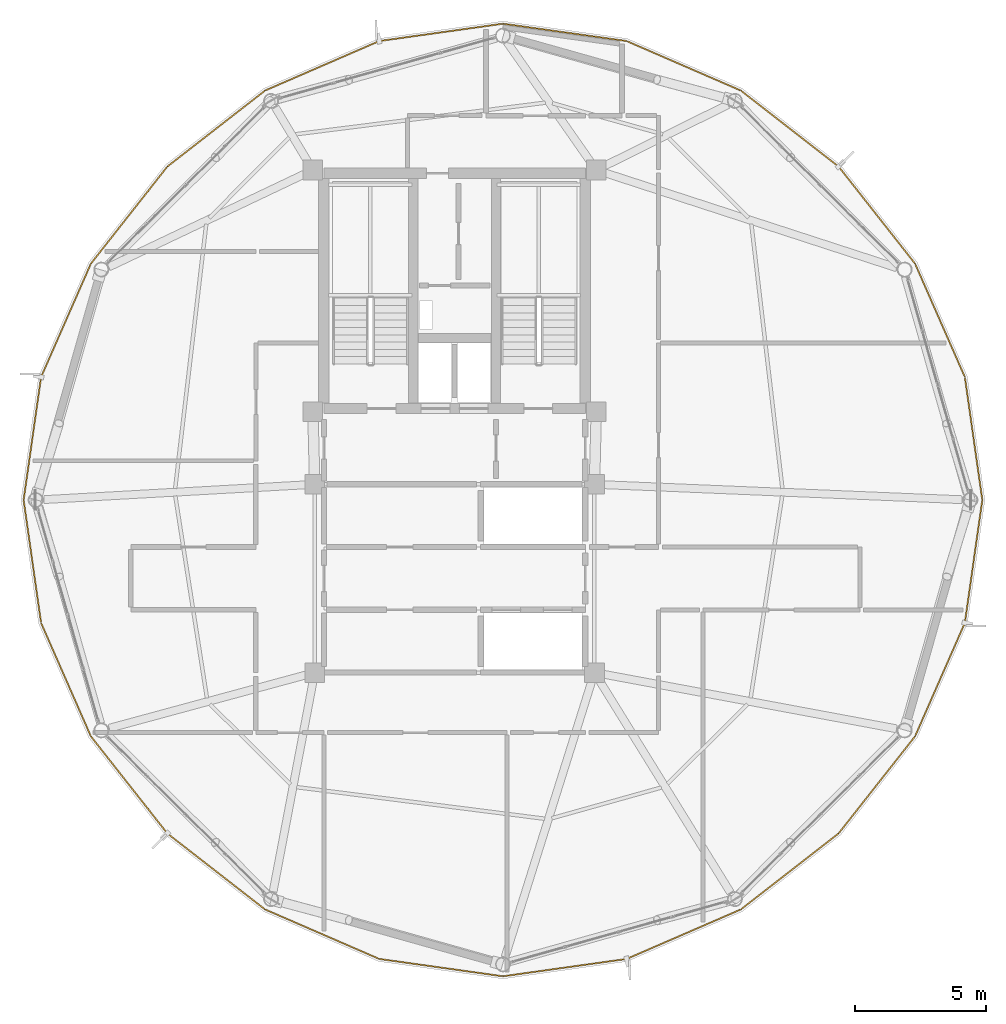
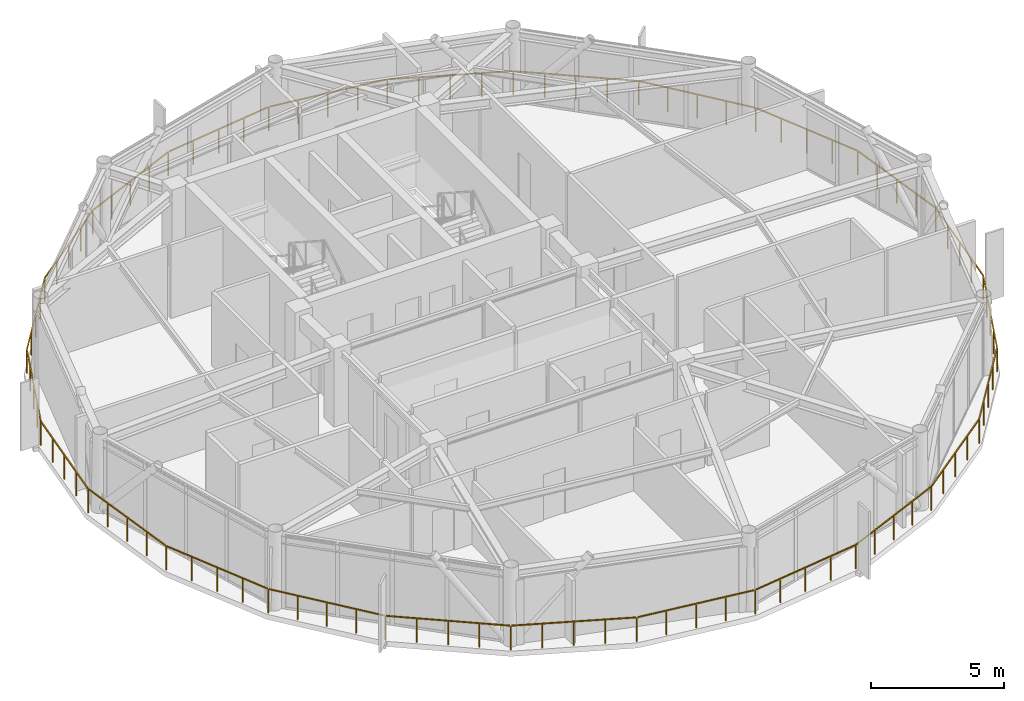
# One storey, part 23 of 24: 1 railing.
"""IFC4 building model written with IfcOpenShell, lengths in metres."""

from ifc_helpers import new_model, si_unit, direction, frame, origin, origin_2d, place, context, subcontext, project, spatial, rectangle, extrude, material, type_object, element, save


model = new_model("IFC4")

# Units and contexts
model_context = context("Model", 3, precision=1e-05, world=origin(), true_north=direction((0.0, 1.0)))
body_context = subcontext(model_context, "Body", "Model", "MODEL_VIEW")
ifc_project = project(units=[si_unit("LENGTHUNIT", "METRE"), si_unit("AREAUNIT", "SQUARE_METRE"), si_unit("VOLUMEUNIT", "CUBIC_METRE"), si_unit("PLANEANGLEUNIT", "RADIAN"), si_unit("MASSUNIT", "GRAM", prefix="KILO")], contexts=[model_context])

# Site, building, storey
site_placement = place(None, origin())
site = spatial("IfcSite", under=ifc_project, at=site_placement, CompositionType="ELEMENT")
building_placement = place(site_placement, origin())
building = spatial("IfcBuilding", under=site, at=building_placement, Name="Varnakorn Sky Granary", CompositionType="ELEMENT")
storey_placement = place(building_placement, frame((0.0, 0.0, 281.39990234375)))
storey = spatial("IfcBuildingStorey", under=building, at=storey_placement, Name="L72", CompositionType="ELEMENT", Elevation=281.39990234375)

# Railing
ifc_material = material(Name="Anodised Bronze Aluminium Alloy 6063-T6", Category="aluminium")
railing_type = type_object("IfcRailingType", Name="RL-BAL-1120", PredefinedType="BALUSTRADE", material=ifc_material)
railing_placement = place(storey_placement, frame((23.18408203125, 0.0, 0.0)))
element("IfcRailing", 1, at=railing_placement, inside=storey, type_object=railing_type, Name="Perimeter Slab-Edge Safety Guard L72", PredefinedType="BALUSTRADE", context=body_context, shape_type="SweptSolid", body=[
    extrude(rectangle(XDim=0.048095703125, YDim=0.048095703125, at=origin_2d()), frame((-0.00390625, -0.02783203125, 1.09619140625), z_axis=(-0.140600836241, -0.990066363861, 0.0), x_axis=(0.990066363861, -0.140600836241, 0.0)), (0.0, 0.0, 1.0), 4.693115234375),
    extrude(rectangle(XDim=0.048095703125, YDim=0.048095703125, at=origin_2d()), frame((-0.678955078125, -4.7275390625, 1.09619140625), z_axis=(-0.402026946082, -0.915627836309, 0.0), x_axis=(0.915627836309, -0.402026946082, 0.0)), (0.0, 0.0, 1.0), 4.681396484375),
    extrude(rectangle(XDim=0.048095703125, YDim=0.048095703125, at=origin_2d()), frame((-2.589599609375, -9.0615234375, 1.09619140625), z_axis=(-0.618624048974, -0.78568714259, 0.0), x_axis=(0.78568714259, -0.618624048974, 0.0)), (0.0, 0.0, 1.0), 4.671630859375),
    extrude(rectangle(XDim=0.048095703125, YDim=0.048095703125, at=origin_2d()), frame((-5.51904296875, -12.77099609375, 1.09619140625), z_axis=(-0.789524303147, -0.613719296373, 0.0), x_axis=(0.613719296373, -0.789524303147, 0.0)), (0.0, 0.0, 1.0), 4.679443359375),
    extrude(rectangle(XDim=0.048095703125, YDim=0.048095703125, at=origin_2d()), frame((-9.26123046875, -15.67138671875, 1.09619140625), z_axis=(-0.917467632742, -0.397810435849, 0.0), x_axis=(0.397810435849, -0.917467632742, 0.0)), (0.0, 0.0, 1.0), 4.70263671875),
    extrude(rectangle(XDim=0.048095703125, YDim=0.048095703125, at=origin_2d()), frame((-13.62939453125, -17.55712890625, 1.09619140625), z_axis=(-0.990304953601, -0.138910398723, 0.0), x_axis=(0.138910398723, -0.990304953601, 0.0)), (0.0, 0.0, 1.0), 4.72265625),
    extrude(rectangle(XDim=0.048095703125, YDim=0.048095703125, at=origin_2d()), frame((-18.36181640625, -18.213134765625, 1.09619140625), z_axis=(-0.990304953601, 0.138910398723, 0.0), x_axis=(-0.138910398723, -0.990304953601, 0.0)), (0.0, 0.0, 1.0), 4.72265625),
    extrude(rectangle(XDim=0.048095703125, YDim=0.048095703125, at=origin_2d()), frame((-23.092041015625, -17.5419921875, 1.09619140625), z_axis=(-0.917475751172, 0.397791711842, 0.0), x_axis=(-0.397791711842, -0.917475751172, 0.0)), (0.0, 0.0, 1.0), 4.702880859375),
    extrude(rectangle(XDim=0.048095703125, YDim=0.048095703125, at=origin_2d()), frame((-27.454833984375, -15.64306640625, 1.09619140625), z_axis=(-0.789524303147, 0.613719296373, 0.0), x_axis=(-0.613719296373, -0.789524303147, 0.0)), (0.0, 0.0, 1.0), 4.679443359375),
    extrude(rectangle(XDim=0.048095703125, YDim=0.048095703125, at=origin_2d()), frame((-31.188720703125, -12.73193359375, 1.09619140625), z_axis=(-0.618624048974, 0.78568714259, 0.0), x_axis=(-0.78568714259, -0.618624048974, 0.0)), (0.0, 0.0, 1.0), 4.671630859375),
    extrude(rectangle(XDim=0.048095703125, YDim=0.048095703125, at=origin_2d()), frame((-34.107177734375, -9.013916015625, 1.09619140625), z_axis=(-0.402026946082, 0.915627836309, 0.0), x_axis=(-0.915627836309, -0.402026946082, 0.0)), (0.0, 0.0, 1.0), 4.681396484375),
    extrude(rectangle(XDim=0.048095703125, YDim=0.048095703125, at=origin_2d()), frame((-36.00439453125, -4.674072265625, 1.09619140625), z_axis=(-0.140550443974, 0.990073518835, 0.0), x_axis=(-0.990073518835, -0.140550443974, 0.0)), (0.0, 0.0, 1.0), 4.693115234375),
    extrude(rectangle(XDim=0.048095703125, YDim=0.048095703125, at=origin_2d()), frame((-36.6640625, 0.02783203125, 1.09619140625), z_axis=(0.140550443974, 0.990073518835, 0.0), x_axis=(-0.990073518835, 0.140550443974, 0.0)), (0.0, 0.0, 1.0), 4.693115234375),
    extrude(rectangle(XDim=0.048095703125, YDim=0.048095703125, at=origin_2d()), frame((-35.9892578125, 4.7275390625, 1.09619140625), z_axis=(0.402026946082, 0.915627836309, 0.0), x_axis=(-0.915627836309, 0.402026946082, 0.0)), (0.0, 0.0, 1.0), 4.681396484375),
    extrude(rectangle(XDim=0.048095703125, YDim=0.048095703125, at=origin_2d()), frame((-34.07861328125, 9.0615234375, 1.09619140625), z_axis=(0.618624048974, 0.78568714259, 0.0), x_axis=(-0.78568714259, 0.618624048974, 0.0)), (0.0, 0.0, 1.0), 4.671630859375),
    extrude(rectangle(XDim=0.048095703125, YDim=0.048095703125, at=origin_2d()), frame((-31.149169921875, 12.77099609375, 1.09619140625), z_axis=(0.789524303147, 0.613719296373, 0.0), x_axis=(-0.613719296373, 0.789524303147, 0.0)), (0.0, 0.0, 1.0), 4.679443359375),
    extrude(rectangle(XDim=0.048095703125, YDim=0.048095703125, at=origin_2d()), frame((-27.406982421875, 15.67138671875, 1.09619140625), z_axis=(0.917475751172, 0.397791711842, 0.0), x_axis=(-0.397791711842, 0.917475751172, 0.0)), (0.0, 0.0, 1.0), 4.702880859375),
    extrude(rectangle(XDim=0.048095703125, YDim=0.048095703125, at=origin_2d()), frame((-23.03857421875, 17.55712890625, 1.09619140625), z_axis=(0.990304953601, 0.138910398723, 0.0), x_axis=(-0.138910398723, 0.990304953601, 0.0)), (0.0, 0.0, 1.0), 4.72265625),
    extrude(rectangle(XDim=0.048095703125, YDim=0.048095703125, at=origin_2d()), frame((-18.30615234375, 18.213134765625, 1.09619140625), z_axis=(0.990304953601, -0.138910398723, 0.0), x_axis=(0.138910398723, 0.990304953601, 0.0)), (0.0, 0.0, 1.0), 4.72265625),
    extrude(rectangle(XDim=0.048095703125, YDim=0.048095703125, at=origin_2d()), frame((-13.575927734375, 17.5419921875, 1.09619140625), z_axis=(0.917467632742, -0.397810435849, 0.0), x_axis=(0.397810435849, 0.917467632742, 0.0)), (0.0, 0.0, 1.0), 4.70263671875),
    extrude(rectangle(XDim=0.048095703125, YDim=0.048095703125, at=origin_2d()), frame((-9.21337890625, 15.64306640625, 1.09619140625), z_axis=(0.789524303147, -0.613719296373, 0.0), x_axis=(0.613719296373, 0.789524303147, 0.0)), (0.0, 0.0, 1.0), 4.679443359375),
    extrude(rectangle(XDim=0.048095703125, YDim=0.048095703125, at=origin_2d()), frame((-5.4794921875, 12.73193359375, 1.09619140625), z_axis=(0.618624048974, -0.78568714259, 0.0), x_axis=(0.78568714259, 0.618624048974, 0.0)), (0.0, 0.0, 1.0), 4.671630859375),
    extrude(rectangle(XDim=0.048095703125, YDim=0.048095703125, at=origin_2d()), frame((-2.56103515625, 9.013916015625, 1.09619140625), z_axis=(0.402026946082, -0.915627836309, 0.0), x_axis=(0.915627836309, 0.402026946082, 0.0)), (0.0, 0.0, 1.0), 4.681396484375),
    extrude(rectangle(XDim=0.048095703125, YDim=0.048095703125, at=origin_2d()), frame((-0.663818359375, 4.674072265625, 1.09619140625), z_axis=(0.140600836241, -0.990066363861, 0.0), x_axis=(0.990066363861, 0.140600836241, 0.0)), (0.0, 0.0, 1.0), 4.693115234375),
    extrude(rectangle(XDim=0.0419921875, YDim=0.0419921875, at=origin_2d()), origin(), (0.0, 0.0, 1.0), 1.068115234375),
    extrude(rectangle(XDim=0.0419921875, YDim=0.0419921875, at=origin_2d()), frame((-0.1669921875, -1.175537109375, 0.0)), (0.0, 0.0, 1.0), 1.068115234375),
    extrude(rectangle(XDim=0.0419921875, YDim=0.0419921875, at=origin_2d()), frame((-0.333984375, -2.35107421875, 0.0)), (0.0, 0.0, 1.0), 1.068115234375),
    extrude(rectangle(XDim=0.0419921875, YDim=0.0419921875, at=origin_2d()), frame((-0.500732421875, -3.5263671875, 0.0)), (0.0, 0.0, 1.0), 1.068115234375),
    extrude(rectangle(XDim=0.0419921875, YDim=0.0419921875, at=origin_2d()), frame((-0.667724609375, -4.701904296875, 0.0)), (0.0, 0.0, 1.0), 1.068115234375),
    extrude(rectangle(XDim=0.0419921875, YDim=0.0419921875, at=origin_2d()), frame((-1.143798828125, -5.786376953125, 0.0)), (0.0, 0.0, 1.0), 1.068115234375),
    extrude(rectangle(XDim=0.0419921875, YDim=0.0419921875, at=origin_2d()), frame((-1.6201171875, -6.87060546875, 0.0)), (0.0, 0.0, 1.0), 1.068115234375),
    extrude(rectangle(XDim=0.0419921875, YDim=0.0419921875, at=origin_2d()), frame((-2.09619140625, -7.955078125, 0.0)), (0.0, 0.0, 1.0), 1.068115234375),
    extrude(rectangle(XDim=0.0419921875, YDim=0.0419921875, at=origin_2d()), frame((-2.572265625, -9.03955078125, 0.0)), (0.0, 0.0, 1.0), 1.068115234375),
    extrude(rectangle(XDim=0.0419921875, YDim=0.0419921875, at=origin_2d()), frame((-3.303466796875, -9.96826171875, 0.0)), (0.0, 0.0, 1.0), 1.068115234375),
    extrude(rectangle(XDim=0.0419921875, YDim=0.0419921875, at=origin_2d()), frame((-4.03466796875, -10.896728515625, 0.0)), (0.0, 0.0, 1.0), 1.068115234375),
    extrude(rectangle(XDim=0.0419921875, YDim=0.0419921875, at=origin_2d()), frame((-4.765625, -11.8251953125, 0.0)), (0.0, 0.0, 1.0), 1.068115234375),
    extrude(rectangle(XDim=0.0419921875, YDim=0.0419921875, at=origin_2d()), frame((-5.496826171875, -12.75390625, 0.0)), (0.0, 0.0, 1.0), 1.068115234375),
    extrude(rectangle(XDim=0.0419921875, YDim=0.0419921875, at=origin_2d()), frame((-6.431640625, -13.48046875, 0.0)), (0.0, 0.0, 1.0), 1.068115234375),
    extrude(rectangle(XDim=0.0419921875, YDim=0.0419921875, at=origin_2d()), frame((-7.3662109375, -14.20703125, 0.0)), (0.0, 0.0, 1.0), 1.068115234375),
    extrude(rectangle(XDim=0.0419921875, YDim=0.0419921875, at=origin_2d()), frame((-8.30078125, -14.93359375, 0.0)), (0.0, 0.0, 1.0), 1.068115234375),
    extrude(rectangle(XDim=0.0419921875, YDim=0.0419921875, at=origin_2d()), frame((-9.235595703125, -15.66015625, 0.0)), (0.0, 0.0, 1.0), 1.068115234375),
    extrude(rectangle(XDim=0.0419921875, YDim=0.0419921875, at=origin_2d()), frame((-10.3271484375, -16.13330078125, 0.0)), (0.0, 0.0, 1.0), 1.068115234375),
    extrude(rectangle(XDim=0.0419921875, YDim=0.0419921875, at=origin_2d()), frame((-11.41845703125, -16.606689453125, 0.0)), (0.0, 0.0, 1.0), 1.068115234375),
    extrude(rectangle(XDim=0.0419921875, YDim=0.0419921875, at=origin_2d()), frame((-12.510009765625, -17.080078125, 0.0)), (0.0, 0.0, 1.0), 1.068115234375),
    extrude(rectangle(XDim=0.0419921875, YDim=0.0419921875, at=origin_2d()), frame((-13.6015625, -17.55322265625, 0.0)), (0.0, 0.0, 1.0), 1.068115234375),
    extrude(rectangle(XDim=0.0419921875, YDim=0.0419921875, at=origin_2d()), frame((-14.78466796875, -17.71923828125, 0.0)), (0.0, 0.0, 1.0), 1.068115234375),
    extrude(rectangle(XDim=0.0419921875, YDim=0.0419921875, at=origin_2d()), frame((-15.9677734375, -17.88525390625, 0.0)), (0.0, 0.0, 1.0), 1.068115234375),
    extrude(rectangle(XDim=0.0419921875, YDim=0.0419921875, at=origin_2d()), frame((-17.15087890625, -18.051025390625, 0.0)), (0.0, 0.0, 1.0), 1.068115234375),
    extrude(rectangle(XDim=0.0419921875, YDim=0.0419921875, at=origin_2d()), frame((-18.333984375, -18.217041015625, 0.0)), (0.0, 0.0, 1.0), 1.068115234375),
    extrude(rectangle(XDim=0.0419921875, YDim=0.0419921875, at=origin_2d()), frame((-19.51708984375, -18.051025390625, 0.0)), (0.0, 0.0, 1.0), 1.068115234375),
    extrude(rectangle(XDim=0.0419921875, YDim=0.0419921875, at=origin_2d()), frame((-20.7001953125, -17.88525390625, 0.0)), (0.0, 0.0, 1.0), 1.068115234375),
    extrude(rectangle(XDim=0.0419921875, YDim=0.0419921875, at=origin_2d()), frame((-21.88330078125, -17.71923828125, 0.0)), (0.0, 0.0, 1.0), 1.068115234375),
    extrude(rectangle(XDim=0.0419921875, YDim=0.0419921875, at=origin_2d()), frame((-23.06640625, -17.55322265625, 0.0)), (0.0, 0.0, 1.0), 1.068115234375),
    extrude(rectangle(XDim=0.0419921875, YDim=0.0419921875, at=origin_2d()), frame((-24.157958984375, -17.080078125, 0.0)), (0.0, 0.0, 1.0), 1.068115234375),
    extrude(rectangle(XDim=0.0419921875, YDim=0.0419921875, at=origin_2d()), frame((-25.24951171875, -16.606689453125, 0.0)), (0.0, 0.0, 1.0), 1.068115234375),
    extrude(rectangle(XDim=0.0419921875, YDim=0.0419921875, at=origin_2d()), frame((-26.341064453125, -16.13330078125, 0.0)), (0.0, 0.0, 1.0), 1.068115234375),
    extrude(rectangle(XDim=0.0419921875, YDim=0.0419921875, at=origin_2d()), frame((-27.4326171875, -15.66015625, 0.0)), (0.0, 0.0, 1.0), 1.068115234375),
    extrude(rectangle(XDim=0.0419921875, YDim=0.0419921875, at=origin_2d()), frame((-28.3671875, -14.93359375, 0.0)), (0.0, 0.0, 1.0), 1.068115234375),
    extrude(rectangle(XDim=0.0419921875, YDim=0.0419921875, at=origin_2d()), frame((-29.302001953125, -14.20703125, 0.0)), (0.0, 0.0, 1.0), 1.068115234375),
    extrude(rectangle(XDim=0.0419921875, YDim=0.0419921875, at=origin_2d()), frame((-30.23681640625, -13.48046875, 0.0)), (0.0, 0.0, 1.0), 1.068115234375),
    extrude(rectangle(XDim=0.0419921875, YDim=0.0419921875, at=origin_2d()), frame((-31.17138671875, -12.75390625, 0.0)), (0.0, 0.0, 1.0), 1.068115234375),
    extrude(rectangle(XDim=0.0419921875, YDim=0.0419921875, at=origin_2d()), frame((-31.902587890625, -11.8251953125, 0.0)), (0.0, 0.0, 1.0), 1.068115234375),
    extrude(rectangle(XDim=0.0419921875, YDim=0.0419921875, at=origin_2d()), frame((-32.6337890625, -10.896728515625, 0.0)), (0.0, 0.0, 1.0), 1.068115234375),
    extrude(rectangle(XDim=0.0419921875, YDim=0.0419921875, at=origin_2d()), frame((-33.36474609375, -9.96826171875, 0.0)), (0.0, 0.0, 1.0), 1.068115234375),
    extrude(rectangle(XDim=0.0419921875, YDim=0.0419921875, at=origin_2d()), frame((-34.095947265625, -9.03955078125, 0.0)), (0.0, 0.0, 1.0), 1.068115234375),
    extrude(rectangle(XDim=0.0419921875, YDim=0.0419921875, at=origin_2d()), frame((-34.572021484375, -7.955078125, 0.0)), (0.0, 0.0, 1.0), 1.068115234375),
    extrude(rectangle(XDim=0.0419921875, YDim=0.0419921875, at=origin_2d()), frame((-35.04833984375, -6.87060546875, 0.0)), (0.0, 0.0, 1.0), 1.068115234375),
    extrude(rectangle(XDim=0.0419921875, YDim=0.0419921875, at=origin_2d()), frame((-35.5244140625, -5.786376953125, 0.0)), (0.0, 0.0, 1.0), 1.068115234375),
    extrude(rectangle(XDim=0.0419921875, YDim=0.0419921875, at=origin_2d()), frame((-36.00048828125, -4.701904296875, 0.0)), (0.0, 0.0, 1.0), 1.068115234375),
    extrude(rectangle(XDim=0.0419921875, YDim=0.0419921875, at=origin_2d()), frame((-36.16748046875, -3.5263671875, 0.0)), (0.0, 0.0, 1.0), 1.068115234375),
    extrude(rectangle(XDim=0.0419921875, YDim=0.0419921875, at=origin_2d()), frame((-36.334228515625, -2.35107421875, 0.0)), (0.0, 0.0, 1.0), 1.068115234375),
    extrude(rectangle(XDim=0.0419921875, YDim=0.0419921875, at=origin_2d()), frame((-36.5009765625, -1.175537109375, 0.0)), (0.0, 0.0, 1.0), 1.068115234375),
    extrude(rectangle(XDim=0.0419921875, YDim=0.0419921875, at=origin_2d()), frame((-36.66796875, 0.0, 0.0)), (0.0, 0.0, 1.0), 1.068115234375),
    extrude(rectangle(XDim=0.0419921875, YDim=0.0419921875, at=origin_2d()), frame((-36.5009765625, 1.175537109375, 0.0)), (0.0, 0.0, 1.0), 1.068115234375),
    extrude(rectangle(XDim=0.0419921875, YDim=0.0419921875, at=origin_2d()), frame((-36.334228515625, 2.35107421875, 0.0)), (0.0, 0.0, 1.0), 1.068115234375),
    extrude(rectangle(XDim=0.0419921875, YDim=0.0419921875, at=origin_2d()), frame((-36.16748046875, 3.5263671875, 0.0)), (0.0, 0.0, 1.0), 1.068115234375),
    extrude(rectangle(XDim=0.0419921875, YDim=0.0419921875, at=origin_2d()), frame((-36.00048828125, 4.701904296875, 0.0)), (0.0, 0.0, 1.0), 1.068115234375),
    extrude(rectangle(XDim=0.0419921875, YDim=0.0419921875, at=origin_2d()), frame((-35.5244140625, 5.786376953125, 0.0)), (0.0, 0.0, 1.0), 1.068115234375),
    extrude(rectangle(XDim=0.0419921875, YDim=0.0419921875, at=origin_2d()), frame((-35.04833984375, 6.87060546875, 0.0)), (0.0, 0.0, 1.0), 1.068115234375),
    extrude(rectangle(XDim=0.0419921875, YDim=0.0419921875, at=origin_2d()), frame((-34.572021484375, 7.955078125, 0.0)), (0.0, 0.0, 1.0), 1.068115234375),
    extrude(rectangle(XDim=0.0419921875, YDim=0.0419921875, at=origin_2d()), frame((-34.095947265625, 9.03955078125, 0.0)), (0.0, 0.0, 1.0), 1.068115234375),
    extrude(rectangle(XDim=0.0419921875, YDim=0.0419921875, at=origin_2d()), frame((-33.36474609375, 9.96826171875, 0.0)), (0.0, 0.0, 1.0), 1.068115234375),
    extrude(rectangle(XDim=0.0419921875, YDim=0.0419921875, at=origin_2d()), frame((-32.6337890625, 10.896728515625, 0.0)), (0.0, 0.0, 1.0), 1.068115234375),
    extrude(rectangle(XDim=0.0419921875, YDim=0.0419921875, at=origin_2d()), frame((-31.902587890625, 11.8251953125, 0.0)), (0.0, 0.0, 1.0), 1.068115234375),
    extrude(rectangle(XDim=0.0419921875, YDim=0.0419921875, at=origin_2d()), frame((-31.17138671875, 12.75390625, 0.0)), (0.0, 0.0, 1.0), 1.068115234375),
    extrude(rectangle(XDim=0.0419921875, YDim=0.0419921875, at=origin_2d()), frame((-30.23681640625, 13.48046875, 0.0)), (0.0, 0.0, 1.0), 1.068115234375),
    extrude(rectangle(XDim=0.0419921875, YDim=0.0419921875, at=origin_2d()), frame((-29.302001953125, 14.20703125, 0.0)), (0.0, 0.0, 1.0), 1.068115234375),
    extrude(rectangle(XDim=0.0419921875, YDim=0.0419921875, at=origin_2d()), frame((-28.3671875, 14.93359375, 0.0)), (0.0, 0.0, 1.0), 1.068115234375),
    extrude(rectangle(XDim=0.0419921875, YDim=0.0419921875, at=origin_2d()), frame((-27.4326171875, 15.66015625, 0.0)), (0.0, 0.0, 1.0), 1.068115234375),
    extrude(rectangle(XDim=0.0419921875, YDim=0.0419921875, at=origin_2d()), frame((-26.341064453125, 16.13330078125, 0.0)), (0.0, 0.0, 1.0), 1.068115234375),
    extrude(rectangle(XDim=0.0419921875, YDim=0.0419921875, at=origin_2d()), frame((-25.24951171875, 16.606689453125, 0.0)), (0.0, 0.0, 1.0), 1.068115234375),
    extrude(rectangle(XDim=0.0419921875, YDim=0.0419921875, at=origin_2d()), frame((-24.157958984375, 17.080078125, 0.0)), (0.0, 0.0, 1.0), 1.068115234375),
    extrude(rectangle(XDim=0.0419921875, YDim=0.0419921875, at=origin_2d()), frame((-23.06640625, 17.55322265625, 0.0)), (0.0, 0.0, 1.0), 1.068115234375),
    extrude(rectangle(XDim=0.0419921875, YDim=0.0419921875, at=origin_2d()), frame((-21.88330078125, 17.71923828125, 0.0)), (0.0, 0.0, 1.0), 1.068115234375),
    extrude(rectangle(XDim=0.0419921875, YDim=0.0419921875, at=origin_2d()), frame((-20.7001953125, 17.88525390625, 0.0)), (0.0, 0.0, 1.0), 1.068115234375),
    extrude(rectangle(XDim=0.0419921875, YDim=0.0419921875, at=origin_2d()), frame((-19.51708984375, 18.051025390625, 0.0)), (0.0, 0.0, 1.0), 1.068115234375),
    extrude(rectangle(XDim=0.0419921875, YDim=0.0419921875, at=origin_2d()), frame((-18.333984375, 18.217041015625, 0.0)), (0.0, 0.0, 1.0), 1.068115234375),
    extrude(rectangle(XDim=0.0419921875, YDim=0.0419921875, at=origin_2d()), frame((-17.15087890625, 18.051025390625, 0.0)), (0.0, 0.0, 1.0), 1.068115234375),
    extrude(rectangle(XDim=0.0419921875, YDim=0.0419921875, at=origin_2d()), frame((-15.9677734375, 17.88525390625, 0.0)), (0.0, 0.0, 1.0), 1.068115234375),
    extrude(rectangle(XDim=0.0419921875, YDim=0.0419921875, at=origin_2d()), frame((-14.78466796875, 17.71923828125, 0.0)), (0.0, 0.0, 1.0), 1.068115234375),
    extrude(rectangle(XDim=0.0419921875, YDim=0.0419921875, at=origin_2d()), frame((-13.6015625, 17.55322265625, 0.0)), (0.0, 0.0, 1.0), 1.068115234375),
    extrude(rectangle(XDim=0.0419921875, YDim=0.0419921875, at=origin_2d()), frame((-12.510009765625, 17.080078125, 0.0)), (0.0, 0.0, 1.0), 1.068115234375),
    extrude(rectangle(XDim=0.0419921875, YDim=0.0419921875, at=origin_2d()), frame((-11.41845703125, 16.606689453125, 0.0)), (0.0, 0.0, 1.0), 1.068115234375),
    extrude(rectangle(XDim=0.0419921875, YDim=0.0419921875, at=origin_2d()), frame((-10.3271484375, 16.13330078125, 0.0)), (0.0, 0.0, 1.0), 1.068115234375),
    extrude(rectangle(XDim=0.0419921875, YDim=0.0419921875, at=origin_2d()), frame((-9.235595703125, 15.66015625, 0.0)), (0.0, 0.0, 1.0), 1.068115234375),
    extrude(rectangle(XDim=0.0419921875, YDim=0.0419921875, at=origin_2d()), frame((-8.30078125, 14.93359375, 0.0)), (0.0, 0.0, 1.0), 1.068115234375),
    extrude(rectangle(XDim=0.0419921875, YDim=0.0419921875, at=origin_2d()), frame((-7.3662109375, 14.20703125, 0.0)), (0.0, 0.0, 1.0), 1.068115234375),
    extrude(rectangle(XDim=0.0419921875, YDim=0.0419921875, at=origin_2d()), frame((-6.431640625, 13.48046875, 0.0)), (0.0, 0.0, 1.0), 1.068115234375),
    extrude(rectangle(XDim=0.0419921875, YDim=0.0419921875, at=origin_2d()), frame((-5.496826171875, 12.75390625, 0.0)), (0.0, 0.0, 1.0), 1.068115234375),
    extrude(rectangle(XDim=0.0419921875, YDim=0.0419921875, at=origin_2d()), frame((-4.765625, 11.8251953125, 0.0)), (0.0, 0.0, 1.0), 1.068115234375),
    extrude(rectangle(XDim=0.0419921875, YDim=0.0419921875, at=origin_2d()), frame((-4.03466796875, 10.896728515625, 0.0)), (0.0, 0.0, 1.0), 1.068115234375),
    extrude(rectangle(XDim=0.0419921875, YDim=0.0419921875, at=origin_2d()), frame((-3.303466796875, 9.96826171875, 0.0)), (0.0, 0.0, 1.0), 1.068115234375),
    extrude(rectangle(XDim=0.0419921875, YDim=0.0419921875, at=origin_2d()), frame((-2.572265625, 9.03955078125, 0.0)), (0.0, 0.0, 1.0), 1.068115234375),
    extrude(rectangle(XDim=0.0419921875, YDim=0.0419921875, at=origin_2d()), frame((-2.09619140625, 7.955078125, 0.0)), (0.0, 0.0, 1.0), 1.068115234375),
    extrude(rectangle(XDim=0.0419921875, YDim=0.0419921875, at=origin_2d()), frame((-1.6201171875, 6.87060546875, 0.0)), (0.0, 0.0, 1.0), 1.068115234375),
    extrude(rectangle(XDim=0.0419921875, YDim=0.0419921875, at=origin_2d()), frame((-1.143798828125, 5.786376953125, 0.0)), (0.0, 0.0, 1.0), 1.068115234375),
    extrude(rectangle(XDim=0.0419921875, YDim=0.0419921875, at=origin_2d()), frame((-0.667724609375, 4.701904296875, 0.0)), (0.0, 0.0, 1.0), 1.068115234375),
    extrude(rectangle(XDim=0.0419921875, YDim=0.0419921875, at=origin_2d()), frame((-0.500732421875, 3.5263671875, 0.0)), (0.0, 0.0, 1.0), 1.068115234375),
    extrude(rectangle(XDim=0.0419921875, YDim=0.0419921875, at=origin_2d()), frame((-0.333984375, 2.35107421875, 0.0)), (0.0, 0.0, 1.0), 1.068115234375),
    extrude(rectangle(XDim=0.0419921875, YDim=0.0419921875, at=origin_2d()), frame((-0.1669921875, 1.175537109375, 0.0)), (0.0, 0.0, 1.0), 1.068115234375),
])

save(model, "model.ifc")
